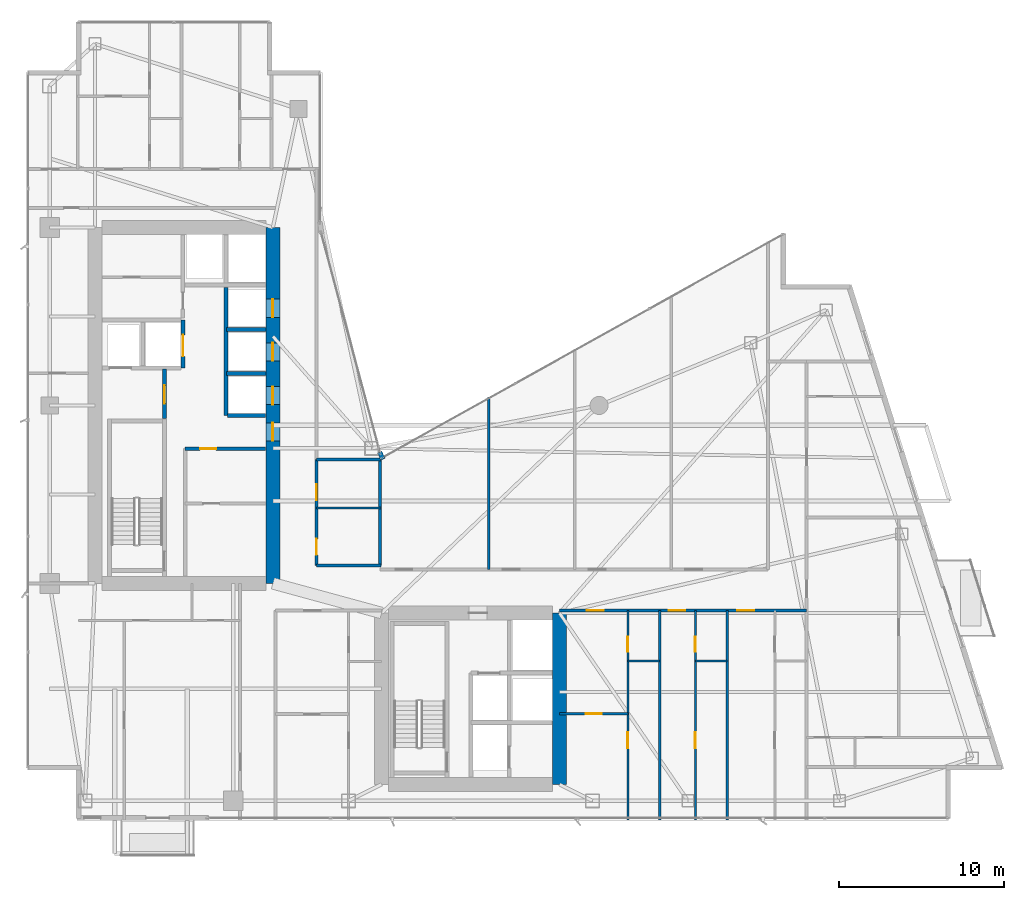
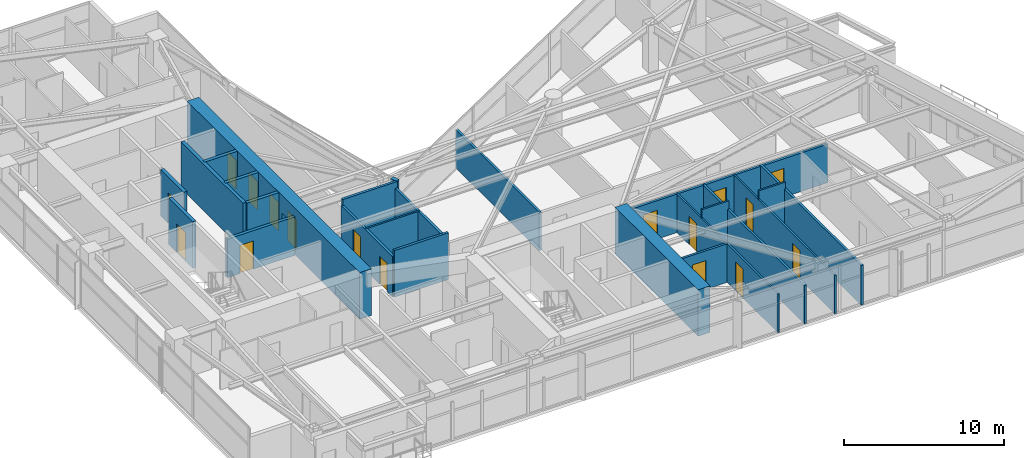
# One storey, part 23 of 28: 24 walls, 17 doors, 17 openings.
"""IFC4 building model written with IfcOpenShell, lengths in metres."""

from ifc_helpers import new_model, si_unit, direction, frame, frame_2d, origin, place, context, subcontext, project, spatial, rectangle, extrude, material, layer, layer_set, type_object, element, fill, save


model = new_model("IFC4")

# Units and contexts
model_context = context("Model", 3, precision=1e-05, world=origin(), true_north=direction((0.0, 1.0)))
body_context = subcontext(model_context, "Body", "Model", "MODEL_VIEW")
ifc_project = project(units=[si_unit("LENGTHUNIT", "METRE"), si_unit("AREAUNIT", "SQUARE_METRE"), si_unit("VOLUMEUNIT", "CUBIC_METRE"), si_unit("PLANEANGLEUNIT", "RADIAN"), si_unit("MASSUNIT", "GRAM", prefix="KILO")], contexts=[model_context])

# Site, building, storey
site_placement = place(None, origin())
site = spatial("IfcSite", under=ifc_project, at=site_placement, CompositionType="ELEMENT")
building_placement = place(site_placement, origin())
building = spatial("IfcBuilding", under=site, at=building_placement, Name="Calvorn Quay Hotel", CompositionType="ELEMENT")
storey_placement = place(building_placement, frame((0.0, 0.0, 178.89990234375)))
storey = spatial("IfcBuildingStorey", under=building, at=storey_placement, Name="L44", CompositionType="ELEMENT", Elevation=178.89990234375)

# Wall, openings, doors
ifc_material_1 = material(Name="Concrete C50", Category="concrete")
ifc_layer_1 = layer(ifc_material_1, 0.85009765625)
ifc_layer_set_1 = layer_set([ifc_layer_1], Name="WL-CORE-850")
wall_type_1 = type_object("IfcWallType", Name="WL-CORE-850", PredefinedType="SHEAR", material=ifc_layer_set_1)
wall_1_placement = place(storey_placement, frame((15.0, 16.800048828125, 0.0), z_axis=(0.0, 0.0, 1.0), x_axis=(0.0, 1.0, 0.0)))
wall_1 = element("IfcWall", 1, at=wall_1_placement, inside=storey, type_object=wall_type_1, Name="West Core Shear Wall E (L44)", PredefinedType="SHEAR", context=body_context, shape_type="SweptSolid", body=[
    extrude(rectangle(XDim=21.599853515625, YDim=0.85009765625, at=frame_2d((10.7998046875, 0.0))), origin(), (0.0, 0.0, 1.0), 3.56005859375),
])
opening_1_placement = place(wall_1_placement, frame((8.64990234375, 0.0, 0.0)))
opening_1 = element("IfcOpeningElement", 2, at=opening_1_placement, cuts=wall_1, Name="Opening D-L44-CW1", PredefinedType="OPENING", context=body_context, shape_type="SweptSolid", body=[
    extrude(rectangle(XDim=1.10009765625, YDim=2.199951171875, at=frame_2d((0.550048828125, 1.10009765625))), frame((0.0, 0.43505859375, 0.0), z_axis=(0.0, -1.0, 0.0), x_axis=(1.0, 0.0, 0.0)), (0.0, 0.0, 1.0), 0.8701171875),
])
opening_2_placement = place(wall_1_placement, frame((10.85009765625, 0.0, 0.0)))
opening_2 = element("IfcOpeningElement", 3, at=opening_2_placement, cuts=wall_1, Name="Opening LD-L44-M1", PredefinedType="OPENING", context=body_context, shape_type="SweptSolid", body=[
    extrude(rectangle(XDim=1.10009765625, YDim=2.199951171875, at=frame_2d((0.550048828125, 1.10009765625))), frame((0.0, 0.43505859375, 0.0), z_axis=(0.0, -1.0, 0.0), x_axis=(1.0, 0.0, 0.0)), (0.0, 0.0, 1.0), 0.8701171875),
])
opening_3_placement = place(wall_1_placement, frame((13.5, 0.0, 0.0)))
opening_3 = element("IfcOpeningElement", 4, at=opening_3_placement, cuts=wall_1, Name="Opening LD-L44-M2", PredefinedType="OPENING", context=body_context, shape_type="SweptSolid", body=[
    extrude(rectangle(XDim=1.10009765625, YDim=2.199951171875, at=frame_2d((0.550048828125, 1.10009765625))), frame((0.0, 0.43505859375, 0.0), z_axis=(0.0, -1.0, 0.0), x_axis=(1.0, 0.0, 0.0)), (0.0, 0.0, 1.0), 0.8701171875),
])
opening_4_placement = place(wall_1_placement, frame((16.14990234375, 0.0, 0.0)))
opening_4 = element("IfcOpeningElement", 5, at=opening_4_placement, cuts=wall_1, Name="Opening LD-L44-M3", PredefinedType="OPENING", context=body_context, shape_type="SweptSolid", body=[
    extrude(rectangle(XDim=1.10009765625, YDim=2.199951171875, at=frame_2d((0.550048828125, 1.10009765625))), frame((0.0, 0.43505859375, 0.0), z_axis=(0.0, -1.0, 0.0), x_axis=(1.0, 0.0, 0.0)), (0.0, 0.0, 1.0), 0.8701171875),
])
ifc_material_2 = material(Name="Smoke-Sealed Steel Class A Fire Door", Category="steel")
door_type_1 = type_object("IfcDoorType", Name="DR-FFLOBBY-1100", OperationType="NOTDEFINED", PredefinedType="DOOR", material=ifc_material_2)
door_1_placement = place(opening_1_placement, origin())
door_1 = element("IfcDoor", 6, at=door_1_placement, inside=storey, type_object=door_type_1, Name="West Core Vestibule Fire Door (L44)", OperationType="SINGLE_SWING_LEFT", OverallHeight=2.199951171875, OverallWidth=1.10009765625, PredefinedType="DOOR", context=body_context, shape_type="SweptSolid", body=[
    extrude(rectangle(XDim=1.10009765625, YDim=2.199951171875, at=frame_2d((0.550048828125, 1.10009765625))), frame((0.0, 0.02490234375, 0.0), z_axis=(0.0, -1.0, 0.0), x_axis=(1.0, 0.0, 0.0)), (0.0, 0.0, 1.0), 0.050048828125),
])
fill(opening_1, door_1)
ifc_material_3 = material(Name="Brushed Stainless Steel Sliding Lift Landing Door", Category="steel")
door_type_2 = type_object("IfcDoorType", Name="DR-LIFT-PASS-1100", OperationType="NOTDEFINED", PredefinedType="DOOR", material=ifc_material_3)
door_2_placement = place(opening_2_placement, origin())
door_2 = element("IfcDoor", 7, at=door_2_placement, inside=storey, type_object=door_type_2, Name="Mid-Rise Lift PL-M1 Landing Door (L44)", OperationType="DOUBLE_DOOR_SLIDING", OverallHeight=2.199951171875, OverallWidth=1.10009765625, PredefinedType="DOOR", context=body_context, shape_type="SweptSolid", body=[
    extrude(rectangle(XDim=1.10009765625, YDim=2.199951171875, at=frame_2d((0.550048828125, 1.10009765625))), frame((0.0, 0.02490234375, 0.0), z_axis=(0.0, -1.0, 0.0), x_axis=(1.0, 0.0, 0.0)), (0.0, 0.0, 1.0), 0.050048828125),
])
fill(opening_2, door_2)
door_3_placement = place(opening_3_placement, origin())
door_3 = element("IfcDoor", 8, at=door_3_placement, inside=storey, type_object=door_type_2, Name="Mid-Rise Lift PL-M2 Landing Door (L44)", OperationType="DOUBLE_DOOR_SLIDING", OverallHeight=2.199951171875, OverallWidth=1.10009765625, PredefinedType="DOOR", context=body_context, shape_type="SweptSolid", body=[
    extrude(rectangle(XDim=1.10009765625, YDim=2.199951171875, at=frame_2d((0.550048828125, 1.10009765625))), frame((0.0, 0.02490234375, 0.0), z_axis=(0.0, -1.0, 0.0), x_axis=(1.0, 0.0, 0.0)), (0.0, 0.0, 1.0), 0.050048828125),
])
fill(opening_3, door_3)
door_4_placement = place(opening_4_placement, origin())
door_4 = element("IfcDoor", 9, at=door_4_placement, inside=storey, type_object=door_type_2, Name="Mid-Rise Lift PL-M3 Landing Door (L44)", OperationType="DOUBLE_DOOR_SLIDING", OverallHeight=2.199951171875, OverallWidth=1.10009765625, PredefinedType="DOOR", context=body_context, shape_type="SweptSolid", body=[
    extrude(rectangle(XDim=1.10009765625, YDim=2.199951171875, at=frame_2d((0.550048828125, 1.10009765625))), frame((0.0, 0.02490234375, 0.0), z_axis=(0.0, -1.0, 0.0), x_axis=(1.0, 0.0, 0.0)), (0.0, 0.0, 1.0), 0.050048828125),
])
fill(opening_4, door_4)

# Walls
wall_2_placement = place(storey_placement, frame((32.39990234375, 4.60009765625, 0.0), z_axis=(0.0, 0.0, 1.0), x_axis=(0.0, 1.0, 0.0)))
element("IfcWall", 10, at=wall_2_placement, inside=storey, type_object=wall_type_1, Name="East Core Shear Wall E (L44)", PredefinedType="SHEAR", context=body_context, shape_type="SweptSolid", body=[
    extrude(rectangle(XDim=10.39990234375, YDim=0.85009765625, at=frame_2d((5.199951171875, 0.0))), origin(), (0.0, 0.0, 1.0), 3.56005859375),
])
ifc_material_4 = material(Name="Acoustic Fireboard Steel-Stud Partition", Category="steel")
ifc_layer_2 = layer(ifc_material_4, 0.179931640625)
ifc_layer_set_2 = layer_set([ifc_layer_2], Name="WL-CORR-FIRE-180")
wall_type_2 = type_object("IfcWallType", Name="WL-CORR-FIRE-180", PredefinedType="PARTITIONING", material=ifc_layer_set_2)
wall_3_placement = place(storey_placement, frame((17.64990234375, 17.8798828125, 0.0), z_axis=(0.0, 0.0, 1.0), x_axis=(1.0, 0.0, 0.0)))
element("IfcWall", 11, at=wall_3_placement, inside=storey, type_object=wall_type_2, Name="Partition Wall L44-WL-HK-S", PredefinedType="PARTITIONING", context=body_context, shape_type="SweptSolid", body=[
    extrude(rectangle(XDim=3.900146484375, YDim=0.179931640625, at=frame_2d((1.9501953125, 0.0))), origin(), (0.0, 0.0, 1.0), 3.56005859375),
])
wall_4_placement = place(storey_placement, frame((17.64990234375, 24.320068359375, 0.0), z_axis=(0.0, 0.0, 1.0), x_axis=(1.0, 0.0, 0.0)))
element("IfcWall", 12, at=wall_4_placement, inside=storey, type_object=wall_type_2, Name="Partition Wall L44-WL-HK-N", PredefinedType="PARTITIONING", context=body_context, shape_type="SweptSolid", body=[
    extrude(rectangle(XDim=3.9501953125, YDim=0.179931640625, at=frame_2d((1.97509765625, 0.0))), origin(), (0.0, 0.0, 1.0), 3.56005859375),
])
wall_5_placement = place(storey_placement, frame((21.5, 17.8798828125, 0.0), z_axis=(0.0, 0.0, 1.0), x_axis=(0.0, 1.0, 0.0)))
element("IfcWall", 13, at=wall_5_placement, inside=storey, type_object=wall_type_2, Name="Partition Wall L44-WL-HK-E", PredefinedType="PARTITIONING", context=body_context, shape_type="SweptSolid", body=[
    extrude(rectangle(XDim=6.440185546875, YDim=0.179931640625, at=frame_2d((3.22021484375, 0.0))), origin(), (0.0, 0.0, 1.0), 3.090087890625),
])

# Wall, openings, doors
wall_6_placement = place(storey_placement, frame((17.64990234375, 17.8798828125, 0.0), z_axis=(0.0, 0.0, 1.0), x_axis=(0.0, 1.0, 0.0)))
wall_6 = element("IfcWall", 14, at=wall_6_placement, inside=storey, type_object=wall_type_2, Name="Partition Wall L44-WL-HK-W", PredefinedType="PARTITIONING", context=body_context, shape_type="SweptSolid", body=[
    extrude(rectangle(XDim=6.440185546875, YDim=0.179931640625, at=frame_2d((3.22021484375, 0.0))), origin(), (0.0, 0.0, 1.0), 3.090087890625),
])
opening_5_placement = place(wall_6_placement, frame((0.64990234375, 0.0, 0.0)))
opening_5 = element("IfcOpeningElement", 15, at=opening_5_placement, cuts=wall_6, Name="Opening D-L44-HK", PredefinedType="OPENING", context=body_context, shape_type="SweptSolid", body=[
    extrude(rectangle(XDim=0.97998046875, YDim=2.14990234375, at=frame_2d((0.489990234375, 1.074951171875))), frame((0.0, 0.099853515625, 0.0), z_axis=(0.0, -1.0, 0.0), x_axis=(1.0, 0.0, 0.0)), (0.0, 0.0, 1.0), 0.199951171875),
])
opening_6_placement = place(wall_6_placement, frame((3.969970703125, 0.0, 0.0)))
opening_6 = element("IfcOpeningElement", 16, at=opening_6_placement, cuts=wall_6, Name="Opening D-L44-NCP", PredefinedType="OPENING", context=body_context, shape_type="SweptSolid", body=[
    extrude(rectangle(XDim=0.9599609375, YDim=2.199951171875, at=frame_2d((0.47998046875, 1.10009765625))), frame((0.0, 0.099853515625, 0.0), z_axis=(0.0, -1.0, 0.0), x_axis=(1.0, 0.0, 0.0)), (0.0, 0.0, 1.0), 0.199951171875),
])
ifc_material_5 = material(Name="Painted Steel Housekeeping/Riser Fire Door", Category="steel")
door_type_3 = type_object("IfcDoorType", Name="DR-SERVICE-980", OperationType="NOTDEFINED", PredefinedType="DOOR", material=ifc_material_5)
door_5_placement = place(opening_5_placement, origin())
door_5 = element("IfcDoor", 17, at=door_5_placement, inside=storey, type_object=door_type_3, Name="Floor Housekeeping Door (L44)", OperationType="SINGLE_SWING_LEFT", OverallHeight=2.14990234375, OverallWidth=0.97998046875, PredefinedType="DOOR", context=body_context, shape_type="SweptSolid", body=[
    extrude(rectangle(XDim=0.97998046875, YDim=2.14990234375, at=frame_2d((0.489990234375, 1.074951171875))), frame((0.0, 0.02490234375, 0.0), z_axis=(0.0, -1.0, 0.0), x_axis=(1.0, 0.0, 0.0)), (0.0, 0.0, 1.0), 0.050048828125),
])
fill(opening_5, door_5)
ifc_material_6 = material(Name="Solid Timber Internal Suite Door", Category="wood")
door_type_4 = type_object("IfcDoorType", Name="DR-SUITE-INT-960", OperationType="NOTDEFINED", PredefinedType="DOOR", material=ifc_material_6)
door_6_placement = place(opening_6_placement, origin())
door_6 = element("IfcDoor", 18, at=door_6_placement, inside=storey, type_object=door_type_4, Name="Reading Alcove Door (L44)", OperationType="SINGLE_SWING_RIGHT", OverallHeight=2.199951171875, OverallWidth=0.9599609375, PredefinedType="DOOR", context=body_context, shape_type="SweptSolid", body=[
    extrude(rectangle(XDim=0.9599609375, YDim=2.199951171875, at=frame_2d((0.47998046875, 1.10009765625))), frame((0.0, 0.02490234375, 0.0), z_axis=(0.0, -1.0, 0.0), x_axis=(1.0, 0.0, 0.0)), (0.0, 0.0, 1.0), 0.050048828125),
])
fill(opening_6, door_6)

wall_7_placement = place(storey_placement, frame((32.39990234375, 15.14990234375, 0.0), z_axis=(0.0, 0.0, 1.0), x_axis=(1.0, 0.0, 0.0)))
wall_7 = element("IfcWall", 19, at=wall_7_placement, inside=storey, type_object=wall_type_2, Name="Partition Wall L44-WL-CORR-SE-S", PredefinedType="PARTITIONING", context=body_context, shape_type="SweptSolid", body=[
    extrude(rectangle(XDim=15.0, YDim=0.179931640625, at=frame_2d((7.5, 0.0))), origin(), (0.0, 0.0, 1.0), 2.940185546875),
])
opening_7_placement = place(wall_7_placement, frame((1.659912109375, 0.0, 0.0)))
opening_7 = element("IfcOpeningElement", 20, at=opening_7_placement, cuts=wall_7, Name="Opening D-L44-U05", PredefinedType="OPENING", context=body_context, shape_type="SweptSolid", body=[
    extrude(rectangle(XDim=1.02001953125, YDim=2.199951171875, at=frame_2d((0.510009765625, 1.10009765625))), frame((0.0, 0.099853515625, 0.0), z_axis=(0.0, -1.0, 0.0), x_axis=(1.0, 0.0, 0.0)), (0.0, 0.0, 1.0), 0.199951171875),
])
opening_8_placement = place(wall_7_placement, frame((10.7900390625, 0.0, 0.0)))
opening_8 = element("IfcOpeningElement", 21, at=opening_8_placement, cuts=wall_7, Name="Opening D-L44-U06", PredefinedType="OPENING", context=body_context, shape_type="SweptSolid", body=[
    extrude(rectangle(XDim=1.02001953125, YDim=2.199951171875, at=frame_2d((0.510009765625, 1.10009765625))), frame((0.0, 0.099853515625, 0.0), z_axis=(0.0, -1.0, 0.0), x_axis=(1.0, 0.0, 0.0)), (0.0, 0.0, 1.0), 0.199951171875),
])
opening_9_placement = place(wall_7_placement, frame((6.6201171875, 0.0, 0.0)))
opening_9 = element("IfcOpeningElement", 22, at=opening_9_placement, cuts=wall_7, Name="Opening D-L44-U07", PredefinedType="OPENING", context=body_context, shape_type="SweptSolid", body=[
    extrude(rectangle(XDim=1.02001953125, YDim=2.199951171875, at=frame_2d((0.510009765625, 1.10009765625))), frame((0.0, 0.099853515625, 0.0), z_axis=(0.0, -1.0, 0.0), x_axis=(1.0, 0.0, 0.0)), (0.0, 0.0, 1.0), 0.199951171875),
])
ifc_material_7 = material(Name="Solid-Core Walnut Veneer Hotel Fire Door")
door_type_5 = type_object("IfcDoorType", Name="DR-GUEST-ENTRY-1020", OperationType="NOTDEFINED", PredefinedType="DOOR", material=ifc_material_7)
door_7_placement = place(opening_7_placement, origin())
door_7 = element("IfcDoor", 23, at=door_7_placement, inside=storey, type_object=door_type_5, Name="South-East Unit Door U05 (L44)", OperationType="SINGLE_SWING_LEFT", OverallHeight=2.199951171875, OverallWidth=1.02001953125, PredefinedType="DOOR", context=body_context, shape_type="SweptSolid", body=[
    extrude(rectangle(XDim=1.02001953125, YDim=2.199951171875, at=frame_2d((0.510009765625, 1.10009765625))), frame((0.0, 0.02490234375, 0.0), z_axis=(0.0, -1.0, 0.0), x_axis=(1.0, 0.0, 0.0)), (0.0, 0.0, 1.0), 0.050048828125),
])
fill(opening_7, door_7)
door_8_placement = place(opening_8_placement, origin())
door_8 = element("IfcDoor", 24, at=door_8_placement, inside=storey, type_object=door_type_5, Name="South-East Unit Door U06 (L44)", OperationType="SINGLE_SWING_RIGHT", OverallHeight=2.199951171875, OverallWidth=1.02001953125, PredefinedType="DOOR", context=body_context, shape_type="SweptSolid", body=[
    extrude(rectangle(XDim=1.02001953125, YDim=2.199951171875, at=frame_2d((0.510009765625, 1.10009765625))), frame((0.0, 0.02490234375, 0.0), z_axis=(0.0, -1.0, 0.0), x_axis=(1.0, 0.0, 0.0)), (0.0, 0.0, 1.0), 0.050048828125),
])
fill(opening_8, door_8)
door_9_placement = place(opening_9_placement, origin())
door_9 = element("IfcDoor", 25, at=door_9_placement, inside=storey, type_object=door_type_5, Name="South-East Unit Door U07 (L44)", OperationType="SINGLE_SWING_LEFT", OverallHeight=2.199951171875, OverallWidth=1.02001953125, PredefinedType="DOOR", context=body_context, shape_type="SweptSolid", body=[
    extrude(rectangle(XDim=1.02001953125, YDim=2.199951171875, at=frame_2d((0.510009765625, 1.10009765625))), frame((0.0, 0.02490234375, 0.0), z_axis=(0.0, -1.0, 0.0), x_axis=(1.0, 0.0, 0.0)), (0.0, 0.0, 1.0), 0.050048828125),
])
fill(opening_9, door_9)

# Walls
ifc_material_8 = material(Name="Moisture-Resistant Tile-Backed Partition")
ifc_layer_3 = layer(ifc_material_8, 0.125)
ifc_layer_set_3 = layer_set([ifc_layer_3], Name="WL-ENSUITE-125")
wall_type_3 = type_object("IfcWallType", Name="WL-ENSUITE-125", PredefinedType="PARTITIONING", material=ifc_layer_set_3)
wall_8_placement = place(storey_placement, frame((17.64990234375, 21.3798828125, 0.0), z_axis=(0.0, 0.0, 1.0), x_axis=(1.0, 0.0, 0.0)))
element("IfcWall", 26, at=wall_8_placement, inside=storey, type_object=wall_type_3, Name="Partition Wall L44-WL-HK-M", PredefinedType="PARTITIONING", context=body_context, shape_type="SweptSolid", body=[
    extrude(rectangle(XDim=3.900146484375, YDim=0.125, at=frame_2d((1.9501953125, 0.0))), origin(), (0.0, 0.0, 1.0), 3.090087890625),
])
wall_9_placement = place(storey_placement, frame((36.550048828125, 12.10009765625, 0.0), z_axis=(0.0, 0.0, 1.0), x_axis=(1.0, 0.0, 0.0)))
element("IfcWall", 27, at=wall_9_placement, inside=storey, type_object=wall_type_3, Name="Partition Wall L44-WL-U05-BDV", PredefinedType="PARTITIONING", context=body_context, shape_type="SweptSolid", body=[
    extrude(rectangle(XDim=1.929931640625, YDim=0.125, at=frame_2d((0.96484375, 0.0))), origin(), (0.0, 0.0, 1.0), 3.56005859375),
])

# Wall, openings, doors
wall_10_placement = place(storey_placement, frame((36.550048828125, 2.43994140625, 0.0), z_axis=(0.0, 0.0, 1.0), x_axis=(0.0, 1.0, 0.0)))
wall_10 = element("IfcWall", 28, at=wall_10_placement, inside=storey, type_object=wall_type_3, Name="Partition Wall L44-WL-U05-BV", PredefinedType="PARTITIONING", context=body_context, shape_type="SweptSolid", body=[
    extrude(rectangle(XDim=12.7099609375, YDim=0.125, at=frame_2d((6.35498046875, 0.0))), origin(), (0.0, 0.0, 1.0), 2.940185546875),
])
opening_10_placement = place(wall_10_placement, frame((4.35009765625, 0.0, 0.0)))
opening_10 = element("IfcOpeningElement", 29, at=opening_10_placement, cuts=wall_10, Name="Opening D-L44-S05", PredefinedType="OPENING", context=body_context, shape_type="SweptSolid", body=[
    extrude(rectangle(XDim=0.9599609375, YDim=2.199951171875, at=frame_2d((0.47998046875, 1.10009765625))), frame((0.0, 0.072509765625, 0.0), z_axis=(0.0, -1.0, 0.0), x_axis=(1.0, 0.0, 0.0)), (0.0, 0.0, 1.0), 0.14501953125),
])
opening_11_placement = place(wall_10_placement, frame((10.2099609375, 0.0, 0.0)))
opening_11 = element("IfcOpeningElement", 30, at=opening_11_placement, cuts=wall_10, Name="Opening D-L44-E05", PredefinedType="OPENING", context=body_context, shape_type="SweptSolid", body=[
    extrude(rectangle(XDim=0.89990234375, YDim=2.14990234375, at=frame_2d((0.449951171875, 1.074951171875))), frame((0.0, 0.072509765625, 0.0), z_axis=(0.0, -1.0, 0.0), x_axis=(1.0, 0.0, 0.0)), (0.0, 0.0, 1.0), 0.14501953125),
])
ifc_material_9 = material(Name="Moisture-Sealed Timber En-Suite Door", Category="wood")
door_type_6 = type_object("IfcDoorType", Name="DR-ENSUITE-900", OperationType="NOTDEFINED", PredefinedType="DOOR", material=ifc_material_9)
door_10_placement = place(opening_11_placement, origin())
door_10 = element("IfcDoor", 31, at=door_10_placement, inside=storey, type_object=door_type_6, Name="En-Suite Door 05", OperationType="SINGLE_SWING_RIGHT", OverallHeight=2.14990234375, OverallWidth=0.89990234375, PredefinedType="DOOR", context=body_context, shape_type="SweptSolid", body=[
    extrude(rectangle(XDim=0.89990234375, YDim=2.14990234375, at=frame_2d((0.449951171875, 1.074951171875))), frame((0.0, 0.02490234375, 0.0), z_axis=(0.0, -1.0, 0.0), x_axis=(1.0, 0.0, 0.0)), (0.0, 0.0, 1.0), 0.050048828125),
])
fill(opening_11, door_10)
door_11_placement = place(opening_10_placement, origin())
door_11 = element("IfcDoor", 32, at=door_11_placement, inside=storey, type_object=door_type_4, Name="Curated Resort Boutique Door 05", OperationType="SINGLE_SWING_LEFT", OverallHeight=2.199951171875, OverallWidth=0.9599609375, PredefinedType="DOOR", context=body_context, shape_type="SweptSolid", body=[
    extrude(rectangle(XDim=0.9599609375, YDim=2.199951171875, at=frame_2d((0.47998046875, 1.10009765625))), frame((0.0, 0.02490234375, 0.0), z_axis=(0.0, -1.0, 0.0), x_axis=(1.0, 0.0, 0.0)), (0.0, 0.0, 1.0), 0.050048828125),
])
fill(opening_10, door_11)

# Wall
wall_11_placement = place(storey_placement, frame((40.64990234375, 12.10009765625, 0.0), z_axis=(0.0, 0.0, 1.0), x_axis=(1.0, 0.0, 0.0)))
element("IfcWall", 33, at=wall_11_placement, inside=storey, type_object=wall_type_3, Name="Partition Wall L44-WL-U06-BDV", PredefinedType="PARTITIONING", context=body_context, shape_type="SweptSolid", body=[
    extrude(rectangle(XDim=1.93017578125, YDim=0.125, at=frame_2d((0.965087890625, 0.0))), origin(), (0.0, 0.0, 1.0), 3.56005859375),
])

# Wall, openings, doors
wall_12_placement = place(storey_placement, frame((40.64990234375, 2.43994140625, 0.0), z_axis=(0.0, 0.0, 1.0), x_axis=(0.0, 1.0, 0.0)))
wall_12 = element("IfcWall", 34, at=wall_12_placement, inside=storey, type_object=wall_type_3, Name="Partition Wall L44-WL-U06-BV", PredefinedType="PARTITIONING", context=body_context, shape_type="SweptSolid", body=[
    extrude(rectangle(XDim=12.7099609375, YDim=0.125, at=frame_2d((6.35498046875, 0.0))), origin(), (0.0, 0.0, 1.0), 2.940185546875),
])
opening_12_placement = place(wall_12_placement, frame((4.35009765625, 0.0, 0.0)))
opening_12 = element("IfcOpeningElement", 35, at=opening_12_placement, cuts=wall_12, Name="Opening D-L44-S06", PredefinedType="OPENING", context=body_context, shape_type="SweptSolid", body=[
    extrude(rectangle(XDim=0.9599609375, YDim=2.199951171875, at=frame_2d((0.47998046875, 1.10009765625))), frame((0.0, 0.072509765625, 0.0), z_axis=(0.0, -1.0, 0.0), x_axis=(1.0, 0.0, 0.0)), (0.0, 0.0, 1.0), 0.14501953125),
])
opening_13_placement = place(wall_12_placement, frame((10.2099609375, 0.0, 0.0)))
opening_13 = element("IfcOpeningElement", 36, at=opening_13_placement, cuts=wall_12, Name="Opening D-L44-E06", PredefinedType="OPENING", context=body_context, shape_type="SweptSolid", body=[
    extrude(rectangle(XDim=0.89990234375, YDim=2.14990234375, at=frame_2d((0.449951171875, 1.074951171875))), frame((0.0, 0.072509765625, 0.0), z_axis=(0.0, -1.0, 0.0), x_axis=(1.0, 0.0, 0.0)), (0.0, 0.0, 1.0), 0.14501953125),
])
door_12_placement = place(opening_13_placement, origin())
door_12 = element("IfcDoor", 37, at=door_12_placement, inside=storey, type_object=door_type_6, Name="En-Suite Door 06", OperationType="SINGLE_SWING_RIGHT", OverallHeight=2.14990234375, OverallWidth=0.89990234375, PredefinedType="DOOR", context=body_context, shape_type="SweptSolid", body=[
    extrude(rectangle(XDim=0.89990234375, YDim=2.14990234375, at=frame_2d((0.449951171875, 1.074951171875))), frame((0.0, 0.02490234375, 0.0), z_axis=(0.0, -1.0, 0.0), x_axis=(1.0, 0.0, 0.0)), (0.0, 0.0, 1.0), 0.050048828125),
])
fill(opening_13, door_12)
door_13_placement = place(opening_12_placement, origin())
door_13 = element("IfcDoor", 38, at=door_13_placement, inside=storey, type_object=door_type_4, Name="Curated Resort Boutique Door 06", OperationType="SINGLE_SWING_LEFT", OverallHeight=2.199951171875, OverallWidth=0.9599609375, PredefinedType="DOOR", context=body_context, shape_type="SweptSolid", body=[
    extrude(rectangle(XDim=0.9599609375, YDim=2.199951171875, at=frame_2d((0.47998046875, 1.10009765625))), frame((0.0, 0.02490234375, 0.0), z_axis=(0.0, -1.0, 0.0), x_axis=(1.0, 0.0, 0.0)), (0.0, 0.0, 1.0), 0.050048828125),
])
fill(opening_12, door_13)

# Wall
ifc_material_10 = material(Name="Concrete C40", Category="concrete")
ifc_layer_4 = layer(ifc_material_10, 0.320068359375)
ifc_layer_set_4 = layer_set([ifc_layer_4], Name="WL-EXT-SPANDREL-320")
wall_type_4 = type_object("IfcWallType", Name="WL-EXT-SPANDREL-320", PredefinedType="SOLIDWALL", material=ifc_layer_set_4)
wall_13_placement = place(storey_placement, frame((21.679931640625, 24.340087890625, 0.0), z_axis=(0.0, 0.0, 1.0), x_axis=(-0.40758134973, 0.913168901875, 0.0)))
element("IfcWall", 39, at=wall_13_placement, inside=storey, type_object=wall_type_4, Name="Inner Court Corner Pier L44-ICJ1", PredefinedType="SOLIDWALL", context=body_context, shape_type="SweptSolid", body=[
    extrude(rectangle(XDim=0.470703125, YDim=0.280029296875, at=frame_2d((0.2353515625, 0.0))), origin(), (0.0, 0.0, 1.0), 3.56005859375),
])

# Wall, opening, door
ifc_material_11 = material(Name="Double-Stud Acoustic Gypsum Partition")
ifc_layer_5 = layer(ifc_material_11, 0.159912109375)
ifc_layer_set_5 = layer_set([ifc_layer_5], Name="WL-INTERSUITE-160")
wall_type_5 = type_object("IfcWallType", Name="WL-INTERSUITE-160", PredefinedType="PARTITIONING", material=ifc_layer_set_5)
wall_14_placement = place(storey_placement, frame((32.39990234375, 8.8798828125, 0.0), z_axis=(0.0, 0.0, 1.0), x_axis=(1.0, 0.0, 0.0)))
wall_14 = element("IfcWall", 40, at=wall_14_placement, inside=storey, type_object=wall_type_5, Name="Partition Wall L44-WL-U05-MSP", PredefinedType="PARTITIONING", context=body_context, shape_type="SweptSolid", body=[
    extrude(rectangle(XDim=4.150146484375, YDim=0.159912109375, at=frame_2d((2.0751953125, 0.0))), origin(), (0.0, 0.0, 1.0), 2.940185546875),
])
opening_14_placement = place(wall_14_placement, frame((1.590087890625, 0.0, 0.0)))
opening_14 = element("IfcOpeningElement", 41, at=opening_14_placement, cuts=wall_14, Name="Opening D-L44-M05", PredefinedType="OPENING", context=body_context, shape_type="SweptSolid", body=[
    extrude(rectangle(XDim=0.9599609375, YDim=2.199951171875, at=frame_2d((0.47998046875, 1.10009765625))), frame((0.0, 0.08984375, 0.0), z_axis=(0.0, -1.0, 0.0), x_axis=(1.0, 0.0, 0.0)), (0.0, 0.0, 1.0), 0.179931640625),
])
door_14_placement = place(opening_14_placement, origin())
door_14 = element("IfcDoor", 42, at=door_14_placement, inside=storey, type_object=door_type_4, Name="Suite Bedroom Door 05", OperationType="SINGLE_SWING_LEFT", OverallHeight=2.199951171875, OverallWidth=0.9599609375, PredefinedType="DOOR", context=body_context, shape_type="SweptSolid", body=[
    extrude(rectangle(XDim=0.9599609375, YDim=2.199951171875, at=frame_2d((0.47998046875, 1.10009765625))), frame((0.0, 0.02490234375, 0.0), z_axis=(0.0, -1.0, 0.0), x_axis=(1.0, 0.0, 0.0)), (0.0, 0.0, 1.0), 0.050048828125),
])
fill(opening_14, door_14)

# Walls
wall_15_placement = place(storey_placement, frame((38.47998046875, 2.43994140625, 0.0), z_axis=(0.0, 0.0, 1.0), x_axis=(0.0, 1.0, 0.0)))
element("IfcWall", 43, at=wall_15_placement, inside=storey, type_object=wall_type_5, Name="Partition Wall L44-WL-SE-DIV-1", PredefinedType="PARTITIONING", context=body_context, shape_type="SweptSolid", body=[
    extrude(rectangle(XDim=12.7099609375, YDim=0.159912109375, at=frame_2d((6.35498046875, 0.0))), origin(), (0.0, 0.0, 1.0), 2.940185546875),
])
wall_16_placement = place(storey_placement, frame((42.580078125, 2.43994140625, 0.0), z_axis=(0.0, 0.0, 1.0), x_axis=(0.0, 1.0, 0.0)))
element("IfcWall", 44, at=wall_16_placement, inside=storey, type_object=wall_type_5, Name="Partition Wall L44-WL-SE-DIV-2", PredefinedType="PARTITIONING", context=body_context, shape_type="SweptSolid", body=[
    extrude(rectangle(XDim=12.7099609375, YDim=0.159912109375, at=frame_2d((6.35498046875, 0.0))), origin(), (0.0, 0.0, 1.0), 3.0400390625),
])
wall_17_placement = place(storey_placement, frame((28.110107421875, 17.64990234375, 0.0), z_axis=(0.0, 0.0, 1.0), x_axis=(0.0, 1.0, 0.0)))
element("IfcWall", 45, at=wall_17_placement, inside=storey, type_object=wall_type_5, Name="Partition Wall L44-WL-NE-DIV-1", PredefinedType="PARTITIONING", context=body_context, shape_type="SweptSolid", body=[
    extrude(rectangle(XDim=10.460205078125, YDim=0.159912109375, at=frame_2d((5.22998046875, 0.0))), origin(), (0.0, 0.0, 1.0), 2.940185546875),
])

# Wall, opening, door
ifc_material_12 = material(Name="Autoclaved Aerated Masonry Block", Category="masonry")
ifc_layer_6 = layer(ifc_material_12, 0.219970703125)
ifc_layer_set_6 = layer_set([ifc_layer_6], Name="WL-LOBBY-FIRE-220")
wall_type_6 = type_object("IfcWallType", Name="WL-LOBBY-FIRE-220", PredefinedType="SOLIDWALL", material=ifc_layer_set_6)
wall_18_placement = place(storey_placement, frame((9.679931640625, 24.969970703125, 0.0), z_axis=(0.0, 0.0, 1.0), x_axis=(1.0, 0.0, 0.0)))
wall_18 = element("IfcWall", 46, at=wall_18_placement, inside=storey, type_object=wall_type_6, Name="Partition Wall L44-WL-CWW-FR-N", PredefinedType="SOLIDWALL", context=body_context, shape_type="SweptSolid", body=[
    extrude(rectangle(XDim=4.875, YDim=0.219970703125, at=frame_2d((2.4375, 0.0))), origin(), (0.0, 0.0, 1.0), 2.940185546875),
])
opening_15_placement = place(wall_18_placement, frame((0.89990234375, 0.0, 0.0)))
opening_15 = element("IfcOpeningElement", 47, at=opening_15_placement, cuts=wall_18, Name="Opening D-L44-FRL2", PredefinedType="OPENING", context=body_context, shape_type="SweptSolid", body=[
    extrude(rectangle(XDim=0.97998046875, YDim=2.14990234375, at=frame_2d((0.489990234375, 1.074951171875))), frame((0.0, 0.119873046875, 0.0), z_axis=(0.0, -1.0, 0.0), x_axis=(1.0, 0.0, 0.0)), (0.0, 0.0, 1.0), 0.239990234375),
])
door_15_placement = place(opening_15_placement, origin())
door_15 = element("IfcDoor", 48, at=door_15_placement, inside=storey, type_object=door_type_3, Name="Beverage Pantry Door (L44)", OperationType="SINGLE_SWING_RIGHT", OverallHeight=2.14990234375, OverallWidth=0.97998046875, PredefinedType="DOOR", context=body_context, shape_type="SweptSolid", body=[
    extrude(rectangle(XDim=0.97998046875, YDim=2.14990234375, at=frame_2d((0.489990234375, 1.074951171875))), frame((0.0, 0.02490234375, 0.0), z_axis=(0.0, -1.0, 0.0), x_axis=(1.0, 0.0, 0.0)), (0.0, 0.0, 1.0), 0.050048828125),
])
fill(opening_15, door_15)

# Walls
ifc_material_13 = material(Name="Concrete C40", Category="concrete")
ifc_layer_7 = layer(ifc_material_13, 0.239990234375)
ifc_layer_set_7 = layer_set([ifc_layer_7], Name="WL-SHAFT-240")
wall_type_7 = type_object("IfcWallType", Name="WL-SHAFT-240", PredefinedType="SOLIDWALL", material=ifc_layer_set_7)
for number, where, z_axis, x_axis, name in (
    (49, (12.179931640625, 29.550048828125, 0.0), (0.0, 0.0, 1.0), (1.0, 0.0, 0.0), "Lift Hoistway Divider Wall PLM12 (L44)"),
    (50, (12.179931640625, 32.199951171875, 0.0), (0.0, 0.0, 1.0), (1.0, 0.0, 0.0), "Lift Hoistway Divider Wall PLM23 (L44)"),
):
    element("IfcWall", number, at=place(storey_placement, frame(where, z_axis=z_axis, x_axis=x_axis)), inside=storey, type_object=wall_type_7, Name=name, PredefinedType="SOLIDWALL", context=body_context, shape_type="SweptSolid", body=[
        extrude(rectangle(XDim=2.39501953125, YDim=0.239990234375, at=frame_2d((1.197509765625, 0.0))), origin(), (0.0, 0.0, 1.0), 3.56005859375),
    ])

# Wall, opening, door
wall_19_placement = place(storey_placement, frame((8.419921875, 26.820068359375, 0.0), z_axis=(0.0, 0.0, 1.0), x_axis=(0.0, 1.0, 0.0)))
wall_19 = element("IfcWall", 51, at=wall_19_placement, inside=storey, type_object=wall_type_7, Name="Partition Wall L44-WL-CWW-FFL-E", PredefinedType="SOLIDWALL", context=body_context, shape_type="SweptSolid", body=[
    extrude(rectangle(XDim=3.0, YDim=0.239990234375, at=frame_2d((1.5, 0.0))), origin(), (0.0, 0.0, 1.0), 3.56005859375),
])
opening_16_placement = place(wall_19_placement, frame((0.89990234375, 0.0, 0.0)))
opening_16 = element("IfcOpeningElement", 52, at=opening_16_placement, cuts=wall_19, Name="Opening D-L44-FLW", PredefinedType="OPENING", context=body_context, shape_type="SweptSolid", body=[
    extrude(rectangle(XDim=1.10009765625, YDim=2.199951171875, at=frame_2d((0.550048828125, 1.10009765625))), frame((0.0, 0.1298828125, 0.0), z_axis=(0.0, -1.0, 0.0), x_axis=(1.0, 0.0, 0.0)), (0.0, 0.0, 1.0), 0.260009765625),
])
door_16_placement = place(opening_16_placement, origin())
door_16 = element("IfcDoor", 53, at=door_16_placement, inside=storey, type_object=door_type_1, Name="West Firefighting Lobby Fire Door (L44)", OperationType="SINGLE_SWING_RIGHT", OverallHeight=2.199951171875, OverallWidth=1.10009765625, PredefinedType="DOOR", context=body_context, shape_type="SweptSolid", body=[
    extrude(rectangle(XDim=1.10009765625, YDim=2.199951171875, at=frame_2d((0.550048828125, 1.10009765625))), frame((0.0, 0.02490234375, 0.0), z_axis=(0.0, -1.0, 0.0), x_axis=(1.0, 0.0, 0.0)), (0.0, 0.0, 1.0), 0.050048828125),
])
fill(opening_16, door_16)

wall_20_placement = place(storey_placement, frame((9.5400390625, 29.8798828125, 0.0), z_axis=(0.0, 0.0, 1.0), x_axis=(0.0, 1.0, 0.0)))
wall_20 = element("IfcWall", 54, at=wall_20_placement, inside=storey, type_object=wall_type_7, Name="Partition Wall L44-WL-CWW-SLW-E", PredefinedType="SOLIDWALL", context=body_context, shape_type="SweptSolid", body=[
    extrude(rectangle(XDim=2.900146484375, YDim=0.239990234375, at=frame_2d((1.4501953125, 0.0))), origin(), (0.0, 0.0, 1.0), 3.56005859375),
])
opening_17_placement = place(wall_20_placement, frame((0.699951171875, 0.0, 0.0)))
opening_17 = element("IfcOpeningElement", 55, at=opening_17_placement, cuts=wall_20, Name="Opening LD-L44-SLW1", PredefinedType="OPENING", context=body_context, shape_type="SweptSolid", body=[
    extrude(rectangle(XDim=1.300048828125, YDim=2.35009765625, at=frame_2d((0.64990234375, 1.175048828125))), frame((0.0, 0.1298828125, 0.0), z_axis=(0.0, -1.0, 0.0), x_axis=(1.0, 0.0, 0.0)), (0.0, 0.0, 1.0), 0.260009765625),
])
ifc_material_14 = material(Name="Champagne-Bronze Sliding Express Lift Landing Door")
door_type_7 = type_object("IfcDoorType", Name="DR-LIFT-SHUTTLE-1300", OperationType="NOTDEFINED", PredefinedType="DOOR", material=ifc_material_14)
door_17_placement = place(opening_17_placement, origin())
door_17 = element("IfcDoor", 56, at=door_17_placement, inside=storey, type_object=door_type_7, Name="Service Lift SL-W1 Landing Door (L44)", OperationType="DOUBLE_DOOR_SLIDING", OverallHeight=2.35009765625, OverallWidth=1.300048828125, PredefinedType="DOOR", context=body_context, shape_type="SweptSolid", body=[
    extrude(rectangle(XDim=1.300048828125, YDim=2.35009765625, at=frame_2d((0.64990234375, 1.175048828125))), frame((0.0, 0.02490234375, 0.0), z_axis=(0.0, -1.0, 0.0), x_axis=(1.0, 0.0, 0.0)), (0.0, 0.0, 1.0), 0.050048828125),
])
fill(opening_17, door_17)

# Walls
wall_21_placement = place(storey_placement, frame((12.25, 27.0, 0.0), z_axis=(0.0, 0.0, 1.0), x_axis=(1.0, 0.0, 0.0)))
element("IfcWall", 57, at=wall_21_placement, inside=storey, type_object=wall_type_7, Name="Partition Wall L44-WL-CWW-PLM-S", PredefinedType="SOLIDWALL", context=body_context, shape_type="SweptSolid", body=[
    extrude(rectangle(XDim=2.304931640625, YDim=0.239990234375, at=frame_2d((1.15234375, 0.0))), origin(), (0.0, 0.0, 1.0), 3.56005859375),
])
wall_22_placement = place(storey_placement, frame((12.14990234375, 27.0, 0.0), z_axis=(0.0, 0.0, 1.0), x_axis=(0.0, 1.0, 0.0)))
element("IfcWall", 58, at=wall_22_placement, inside=storey, type_object=wall_type_7, Name="Partition Wall L44-WL-CWW-PLM-W", PredefinedType="SOLIDWALL", context=body_context, shape_type="SweptSolid", body=[
    extrude(rectangle(XDim=7.75, YDim=0.239990234375, at=frame_2d((3.875, 0.0))), origin(), (0.0, 0.0, 1.0), 3.56005859375),
])

save(model, "model.ifc")
